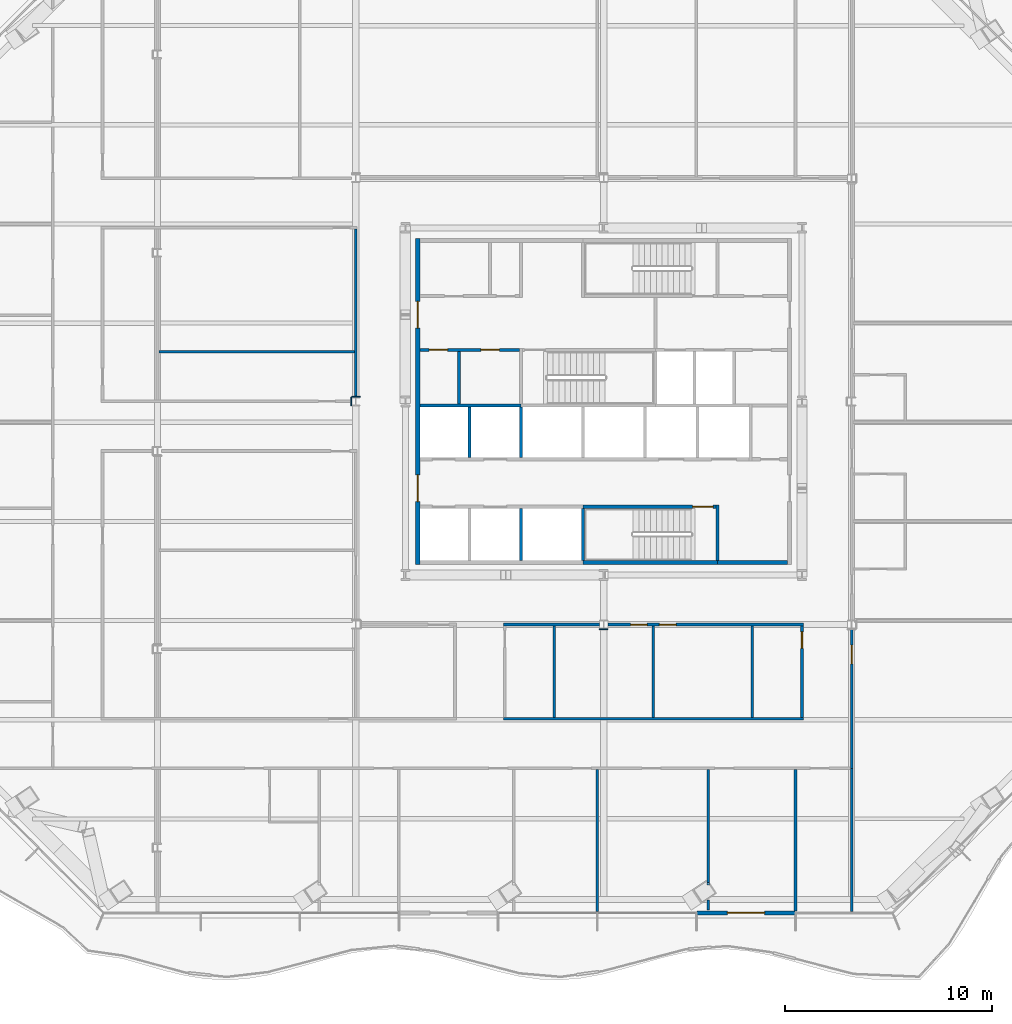
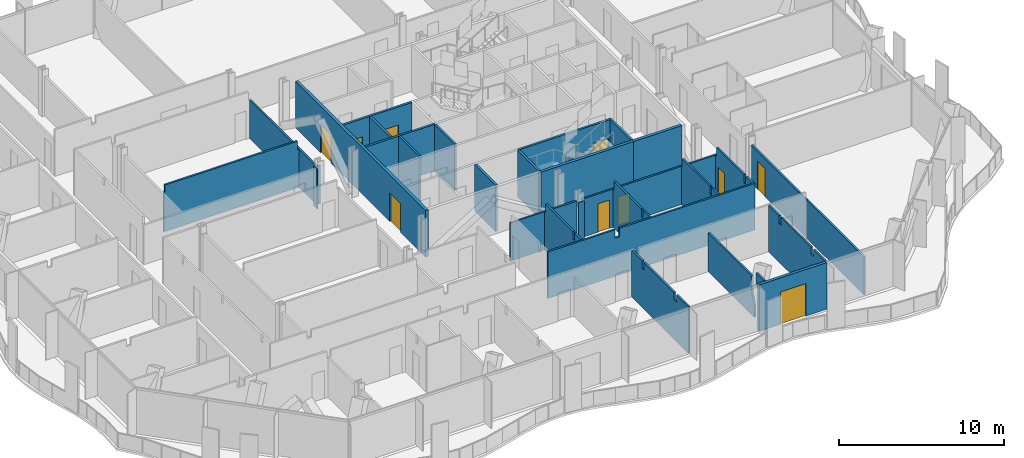
# One storey, part 8 of 19: 31 walls, 10 doors, 10 openings.
"""IFC4 building model written with IfcOpenShell, lengths in metres."""

from ifc_helpers import new_model, si_unit, direction, frame, frame_2d, origin, place, context, subcontext, project, spatial, polyline, rectangle, outline, extrude, material, layer, layer_set, type_object, element, fill, save


model = new_model("IFC4")

# Units and contexts
model_context = context("Model", 3, precision=1e-05, world=origin(), true_north=direction((0.0, 1.0)))
body_context = subcontext(model_context, "Body", "Model", "MODEL_VIEW")
ifc_project = project(units=[si_unit("LENGTHUNIT", "METRE"), si_unit("AREAUNIT", "SQUARE_METRE"), si_unit("VOLUMEUNIT", "CUBIC_METRE"), si_unit("PLANEANGLEUNIT", "RADIAN"), si_unit("MASSUNIT", "GRAM", prefix="KILO")], contexts=[model_context])

# Site, building, storey
site_placement = place(None, origin())
site = spatial("IfcSite", under=ifc_project, at=site_placement, CompositionType="ELEMENT")
building_placement = place(site_placement, origin())
building = spatial("IfcBuilding", under=site, at=building_placement, Name="Cairn Pilgrim Tower", CompositionType="ELEMENT")
storey_placement = place(building_placement, frame((0.0, 0.0, 97.800048828125)))
storey = spatial("IfcBuildingStorey", under=building, at=storey_placement, Name="L23", CompositionType="ELEMENT", Elevation=97.800048828125)

# Wall, opening, door
ifc_material_1 = material(Name="Bronze anodised aluminium insulated sandwich panel with mineral wool fill", Category="aluminium")
ifc_layer_1 = layer(ifc_material_1, 0.199951171875)
ifc_layer_set_1 = layer_set([ifc_layer_1], Name="BRONZE INFILL FRAME WALL 200")
wall_type_1 = type_object("IfcWallType", Name="BRONZE INFILL FRAME WALL 200", PredefinedType="NOTDEFINED", material=ifc_layer_set_1)
wall_1_placement = place(storey_placement, frame((11.717041015625, -22.358642578125, 0.0), z_axis=(0.0, 0.0, 1.0), x_axis=(1.0, 0.0, 0.0)))
wall_1 = element("IfcWall", 1, at=wall_1_placement, inside=storey, type_object=wall_type_1, Name="Bronze infill frame wall IW-S7", PredefinedType="NOTDEFINED", context=body_context, shape_type="SweptSolid", body=[
    extrude(rectangle(XDim=4.739990234375, YDim=0.199951171875, at=frame_2d((2.3701171875, 0.0))), origin(), (0.0, 0.0, 1.0), 3.449951171875),
])
opening_1_placement = place(wall_1_placement, frame((1.469970703125, 0.0, 0.0)))
opening_1 = element("IfcOpeningElement", 2, at=opening_1_placement, cuts=wall_1, Name="Opening 2307B", PredefinedType="OPENING", context=body_context, shape_type="SweptSolid", body=[
    extrude(rectangle(XDim=1.800048828125, YDim=2.39990234375, at=frame_2d((0.89990234375, 1.199951171875))), frame((0.0, 0.10986328125, 0.0), z_axis=(0.0, -1.0, 0.0), x_axis=(1.0, 0.0, 0.0)), (0.0, 0.0, 1.0), 0.219970703125),
])
ifc_material_2 = material(Name="Bronze anodised aluminium frame with tinted low-E glass", Category="aluminium")
door_type_1 = type_object("IfcDoorType", Name="BALCONY SLIDING DOOR 1800x2400", OperationType="DOUBLE_DOOR_SLIDING", PredefinedType="DOOR", material=ifc_material_2)
door_1_placement = place(opening_1_placement, origin())
door_1 = element("IfcDoor", 3, at=door_1_placement, inside=storey, type_object=door_type_1, Name="Balcony sliding door 2307B", OperationType="SINGLE_SWING_LEFT", OverallHeight=2.39990234375, OverallWidth=1.800048828125, PredefinedType="DOOR", context=body_context, shape_type="SweptSolid", body=[
    extrude(rectangle(XDim=1.800048828125, YDim=2.39990234375, at=frame_2d((0.89990234375, 1.199951171875))), frame((0.0, 0.02490234375, 0.0), z_axis=(0.0, -1.0, 0.0), x_axis=(1.0, 0.0, 0.0)), (0.0, 0.0, 1.0), 0.050048828125),
])
fill(opening_1, door_1)

# Wall
ifc_material_3 = material(Name="Concrete C32/40", Category="concrete")
ifc_layer_2 = layer(ifc_material_3, 0.199951171875)
ifc_layer_set_2 = layer_set([ifc_layer_2], Name="CORE OUTER WALL 200 EI 120")
wall_type_2 = type_object("IfcWallType", Name="CORE OUTER WALL 200 EI 120", PredefinedType="SOLIDWALL", material=ifc_layer_set_2)
wall_2_placement = place(storey_placement, frame((12.699951171875, -5.39990234375, 0.0), z_axis=(0.0, 0.0, 1.0), x_axis=(1.0, 0.0, 0.0)))
element("IfcWall", 4, at=wall_2_placement, inside=storey, type_object=wall_type_2, Name="CW:L23:H01-3", PredefinedType="SOLIDWALL", context=body_context, shape_type="SweptSolid", body=[
    extrude(rectangle(XDim=3.400146484375, YDim=0.199951171875, at=frame_2d((1.7001953125, 0.0))), origin(), (0.0, 0.0, 1.0), 3.449951171875),
])

# Wall, openings, doors
wall_3_placement = place(storey_placement, frame((-1.800048828125, -5.5, 0.0), z_axis=(0.0, 0.0, 1.0), x_axis=(0.0, 1.0, 0.0)))
wall_3 = element("IfcWall", 5, at=wall_3_placement, inside=storey, type_object=wall_type_2, Name="CW:L23:V12", PredefinedType="SOLIDWALL", context=body_context, shape_type="SweptSolid", body=[
    extrude(rectangle(XDim=15.800048828125, YDim=0.199951171875, at=frame_2d((7.89990234375, 0.0))), origin(), (0.0, 0.0, 1.0), 3.449951171875),
])
opening_2_placement = place(wall_3_placement, frame((3.050048828125, 0.0, 0.0)))
opening_2 = element("IfcOpeningElement", 6, at=opening_2_placement, cuts=wall_3, Name="Opening CD-W1", PredefinedType="OPENING", context=body_context, shape_type="SweptSolid", body=[
    extrude(rectangle(XDim=1.300048828125, YDim=2.10009765625, at=frame_2d((0.64990234375, 1.050048828125))), frame((0.0, 0.10986328125, 0.0), z_axis=(0.0, -1.0, 0.0), x_axis=(1.0, 0.0, 0.0)), (0.0, 0.0, 1.0), 0.219970703125),
])
opening_3_placement = place(wall_3_placement, frame((11.449951171875, 0.0, 0.0)))
opening_3 = element("IfcOpeningElement", 7, at=opening_3_placement, cuts=wall_3, Name="Opening CD-W2", PredefinedType="OPENING", context=body_context, shape_type="SweptSolid", body=[
    extrude(rectangle(XDim=1.300048828125, YDim=2.10009765625, at=frame_2d((0.64990234375, 1.050048828125))), frame((0.0, 0.10986328125, 0.0), z_axis=(0.0, -1.0, 0.0), x_axis=(1.0, 0.0, 0.0)), (0.0, 0.0, 1.0), 0.219970703125),
])
ifc_material_4 = material(Name="Painted steel", Category="steel")
door_type_2 = type_object("IfcDoorType", Name="CORE LOBBY DOOR 1300x2100", OperationType="DOUBLE_DOOR_SINGLE_SWING", PredefinedType="DOOR", material=ifc_material_4)
door_2_placement = place(opening_2_placement, origin())
door_2 = element("IfcDoor", 8, at=door_2_placement, inside=storey, type_object=door_type_2, Name="CD-W1", OperationType="DOUBLE_DOOR_SINGLE_SWING", OverallHeight=2.10009765625, OverallWidth=1.300048828125, PredefinedType="DOOR", context=body_context, shape_type="SweptSolid", body=[
    extrude(rectangle(XDim=1.300048828125, YDim=2.10009765625, at=frame_2d((0.64990234375, 1.050048828125))), frame((0.0, 0.02490234375, 0.0), z_axis=(0.0, -1.0, 0.0), x_axis=(1.0, 0.0, 0.0)), (0.0, 0.0, 1.0), 0.050048828125),
])
fill(opening_2, door_2)
door_3_placement = place(opening_3_placement, origin())
door_3 = element("IfcDoor", 9, at=door_3_placement, inside=storey, type_object=door_type_2, Name="CD-W2", OperationType="DOUBLE_DOOR_SINGLE_SWING", OverallHeight=2.10009765625, OverallWidth=1.300048828125, PredefinedType="DOOR", context=body_context, shape_type="SweptSolid", body=[
    extrude(rectangle(XDim=1.300048828125, YDim=2.10009765625, at=frame_2d((0.64990234375, 1.050048828125))), frame((0.0, 0.02490234375, 0.0), z_axis=(0.0, -1.0, 0.0), x_axis=(1.0, 0.0, 0.0)), (0.0, 0.0, 1.0), 0.050048828125),
])
fill(opening_3, door_3)

ifc_layer_3 = layer(ifc_material_3, 0.14990234375)
ifc_layer_set_3 = layer_set([ifc_layer_3], Name="CORE PARTITION 150 EI 60")
wall_type_3 = type_object("IfcWallType", Name="CORE PARTITION 150 EI 60", PredefinedType="PARTITIONING", material=ifc_layer_set_3)
wall_4_placement = place(storey_placement, frame((-1.699951171875, 4.89990234375, 0.0), z_axis=(0.0, 0.0, 1.0), x_axis=(1.0, 0.0, 0.0)))
wall_4 = element("IfcWall", 10, at=wall_4_placement, inside=storey, type_object=wall_type_3, Name="CW:L23:H07", PredefinedType="PARTITIONING", context=body_context, shape_type="SweptSolid", body=[
    extrude(rectangle(XDim=4.824951171875, YDim=0.14990234375, at=frame_2d((2.41259765625, 0.0))), origin(), (0.0, 0.0, 1.0), 3.449951171875),
])
opening_4_placement = place(wall_4_placement, frame((0.449951171875, 0.0, 0.0)))
opening_4 = element("IfcOpeningElement", 11, at=opening_4_placement, cuts=wall_4, Name="Opening RD-R3W1", PredefinedType="OPENING", context=body_context, shape_type="SweptSolid", body=[
    extrude(rectangle(XDim=0.89990234375, YDim=2.10009765625, at=frame_2d((0.449951171875, 1.050048828125))), frame((0.0, 0.0849609375, 0.0), z_axis=(0.0, -1.0, 0.0), x_axis=(1.0, 0.0, 0.0)), (0.0, 0.0, 1.0), 0.169921875),
])
opening_5_placement = place(wall_4_placement, frame((2.949951171875, 0.0, 0.0)))
opening_5 = element("IfcOpeningElement", 12, at=opening_5_placement, cuts=wall_4, Name="Opening RD-R3W2", PredefinedType="OPENING", context=body_context, shape_type="SweptSolid", body=[
    extrude(rectangle(XDim=0.89990234375, YDim=2.10009765625, at=frame_2d((0.449951171875, 1.050048828125))), frame((0.0, 0.0849609375, 0.0), z_axis=(0.0, -1.0, 0.0), x_axis=(1.0, 0.0, 0.0)), (0.0, 0.0, 1.0), 0.169921875),
])
door_type_3 = type_object("IfcDoorType", Name="SERVICE ROOM DOOR 900x2100", OperationType="SINGLE_SWING_LEFT", PredefinedType="DOOR", material=ifc_material_4)
door_4_placement = place(opening_4_placement, origin())
door_4 = element("IfcDoor", 13, at=door_4_placement, inside=storey, type_object=door_type_3, Name="RD-R3W1", OperationType="SINGLE_SWING_LEFT", OverallHeight=2.10009765625, OverallWidth=0.89990234375, PredefinedType="DOOR", context=body_context, shape_type="SweptSolid", body=[
    extrude(rectangle(XDim=0.89990234375, YDim=2.10009765625, at=frame_2d((0.449951171875, 1.050048828125))), frame((0.0, 0.02490234375, 0.0), z_axis=(0.0, -1.0, 0.0), x_axis=(1.0, 0.0, 0.0)), (0.0, 0.0, 1.0), 0.050048828125),
])
fill(opening_4, door_4)
door_5_placement = place(opening_5_placement, origin())
door_5 = element("IfcDoor", 14, at=door_5_placement, inside=storey, type_object=door_type_3, Name="RD-R3W2", OperationType="SINGLE_SWING_RIGHT", OverallHeight=2.10009765625, OverallWidth=0.89990234375, PredefinedType="DOOR", context=body_context, shape_type="SweptSolid", body=[
    extrude(rectangle(XDim=0.89990234375, YDim=2.10009765625, at=frame_2d((0.449951171875, 1.050048828125))), frame((0.0, 0.02490234375, 0.0), z_axis=(0.0, -1.0, 0.0), x_axis=(1.0, 0.0, 0.0)), (0.0, 0.0, 1.0), 0.050048828125),
])
fill(opening_5, door_5)

# Walls
wall_5_placement = place(storey_placement, frame((0.199951171875, 2.27490234375, 0.0), z_axis=(0.0, 0.0, 1.0), x_axis=(0.0, 1.0, 0.0)))
element("IfcWall", 15, at=wall_5_placement, inside=storey, type_object=wall_type_3, Name="CW:L23:V13", PredefinedType="PARTITIONING", context=body_context, shape_type="SweptSolid", body=[
    extrude(rectangle(XDim=2.550048828125, YDim=0.14990234375, at=frame_2d((1.27490234375, 0.0))), origin(), (0.0, 0.0, 1.0), 3.449951171875),
])
ifc_layer_4 = layer(ifc_material_3, 0.14990234375)
ifc_layer_set_4 = layer_set([ifc_layer_4], Name="CORE SHAFT WALL 150 EI 120")
wall_type_4 = type_object("IfcWallType", Name="CORE SHAFT WALL 150 EI 120", PredefinedType="SOLIDWALL", material=ifc_layer_set_4)
wall_6_placement = place(storey_placement, frame((-1.699951171875, 2.199951171875, 0.0), z_axis=(0.0, 0.0, 1.0), x_axis=(1.0, 0.0, 0.0)))
element("IfcWall", 16, at=wall_6_placement, inside=storey, type_object=wall_type_4, Name="CW:L23:H05-1", PredefinedType="SOLIDWALL", context=body_context, shape_type="SweptSolid", body=[
    extrude(rectangle(XDim=4.89990234375, YDim=0.14990234375, at=frame_2d((2.449951171875, 0.0))), origin(), (0.0, 0.0, 1.0), 3.449951171875),
])
wall_7_placement = place(storey_placement, frame((0.699951171875, -0.324951171875, 0.0), z_axis=(0.0, 0.0, 1.0), x_axis=(0.0, 1.0, 0.0)))
element("IfcWall", 17, at=wall_7_placement, inside=storey, type_object=wall_type_4, Name="CW:L23:V15", PredefinedType="SOLIDWALL", context=body_context, shape_type="SweptSolid", body=[
    extrude(rectangle(XDim=2.449951171875, YDim=0.14990234375, at=frame_2d((1.22509765625, 0.0))), origin(), (0.0, 0.0, 1.0), 3.449951171875),
])
wall_8_placement = place(storey_placement, frame((3.199951171875, -5.300048828125, 0.0), z_axis=(0.0, 0.0, 1.0), x_axis=(0.0, 1.0, 0.0)))
element("IfcWall", 18, at=wall_8_placement, inside=storey, type_object=wall_type_4, Name="CW:L23:V17", PredefinedType="SOLIDWALL", context=body_context, shape_type="SweptSolid", body=[
    extrude(rectangle(XDim=2.525146484375, YDim=0.14990234375, at=frame_2d((1.2626953125, 0.0))), origin(), (0.0, 0.0, 1.0), 3.449951171875),
])
wall_9_placement = place(storey_placement, frame((3.199951171875, -0.324951171875, 0.0), z_axis=(0.0, 0.0, 1.0), x_axis=(0.0, 1.0, 0.0)))
element("IfcWall", 19, at=wall_9_placement, inside=storey, type_object=wall_type_4, Name="CW:L23:V18", PredefinedType="SOLIDWALL", context=body_context, shape_type="SweptSolid", body=[
    extrude(rectangle(XDim=2.449951171875, YDim=0.14990234375, at=frame_2d((1.22509765625, 0.0))), origin(), (0.0, 0.0, 1.0), 3.449951171875),
])
ifc_material_5 = material(Name="Gypsum partition")
ifc_layer_5 = layer(ifc_material_5, 0.125)
ifc_layer_set_5 = layer_set([ifc_layer_5], Name="PARTITION 125 DRYWALL EI 60")
wall_type_5 = type_object("IfcWallType", Name="PARTITION 125 DRYWALL EI 60", PredefinedType="PARTITIONING", material=ifc_layer_set_5)
wall_10_placement = place(storey_placement, frame((6.886962890625, -22.298583984375, 0.0), z_axis=(0.0, 0.0, 1.0), x_axis=(0.0, 1.0, 0.0)))
element("IfcWall", 20, at=wall_10_placement, inside=storey, type_object=wall_type_5, Name="PARTITION W005", PredefinedType="PARTITIONING", context=body_context, shape_type="SweptSolid", body=[
    extrude(outline(polyline([(0.0, 0.0), (6.877197265625, 0.0), (6.877197265625, 3.449951171875), (5.603515625, 3.449951171875), (5.6015625, 2.8798828125), (5.3935546875, 2.8798828125), (5.3916015625, 3.449951171875), (1.74853515625, 3.449951171875), (1.74658203125, 2.929931640625), (1.448486328125, 2.929931640625), (1.446533203125, 3.449951171875), (0.0, 3.449951171875), (0.0, 0.0)])), frame((0.0, 0.0625, 0.0), z_axis=(0.0, -1.0, 0.0), x_axis=(1.0, 0.0, 0.0)), (0.0, 0.0, 1.0), 0.125),
])
wall_11_placement = place(storey_placement, frame((16.487060546875, -22.258544921875, 0.0), z_axis=(0.0, 0.0, 1.0), x_axis=(0.0, 1.0, 0.0)))
element("IfcWall", 21, at=wall_11_placement, inside=storey, type_object=wall_type_5, Name="PARTITION W006", PredefinedType="PARTITIONING", context=body_context, shape_type="SweptSolid", body=[
    extrude(outline(polyline([(0.0, 0.0), (6.837158203125, 0.0), (6.837158203125, 3.449951171875), (5.563720703125, 3.449951171875), (5.5615234375, 2.8798828125), (5.353515625, 2.8798828125), (5.3515625, 3.449951171875), (1.70849609375, 3.449951171875), (1.70654296875, 2.929931640625), (1.40869140625, 2.929931640625), (1.406494140625, 3.449951171875), (0.0, 3.449951171875), (0.0, 0.0)])), frame((0.0, 0.0625, 0.0), z_axis=(0.0, -1.0, 0.0), x_axis=(1.0, 0.0, 0.0)), (0.0, 0.0, 1.0), 0.125),
])
wall_12_placement = place(storey_placement, frame((19.199951171875, -22.298583984375, 0.0), z_axis=(0.0, 0.0, 1.0), x_axis=(0.0, 1.0, 0.0)))
element("IfcWall", 22, at=wall_12_placement, inside=storey, type_object=wall_type_5, Name="PARTITION W007", PredefinedType="PARTITIONING", context=body_context, shape_type="SweptSolid", body=[
    extrude(rectangle(XDim=6.939697265625, YDim=0.125, at=frame_2d((3.4697265625, 0.0))), origin(), (0.0, 0.0, 1.0), 2.829833984375),
])
wall_13_placement = place(storey_placement, frame((12.257080078125, -22.228515625, 0.0), z_axis=(0.0, 0.0, 1.0), x_axis=(0.0, 1.0, 0.0)))
element("IfcWall", 23, at=wall_13_placement, inside=storey, type_object=wall_type_5, Name="PARTITION W008", PredefinedType="PARTITIONING", context=body_context, shape_type="SweptSolid", body=[
    extrude(outline(polyline([(0.0, 0.0), (0.501953125, 0.0), (0.501953125, 0.862548828125), (0.501953125, 1.724853515625), (0.9765625, 2.58740234375), (0.9765625, 3.449951171875), (0.0, 3.449951171875), (0.0, 2.58740234375), (0.0, 1.724853515625), (0.0, 0.862548828125), (0.0, 0.0)])), frame((0.0, 0.0625, 0.0), z_axis=(0.0, -1.0, 0.0), x_axis=(1.0, 0.0, 0.0)), (0.0, 0.0, 1.0), 0.125),
])
wall_14_placement = place(storey_placement, frame((12.257080078125, -21.01953125, 0.0), z_axis=(0.0, 0.0, 1.0), x_axis=(0.0, 1.0, 0.0)))
element("IfcWall", 24, at=wall_14_placement, inside=storey, type_object=wall_type_5, Name="PARTITION W011", PredefinedType="PARTITIONING", context=body_context, shape_type="SweptSolid", body=[
    extrude(outline(polyline([(0.0, 0.0), (5.597900390625, 0.0), (5.597900390625, 0.862548828125), (5.597900390625, 1.724853515625), (5.597900390625, 2.58740234375), (5.597900390625, 2.8798828125), (0.33740234375, 2.8798828125), (0.33740234375, 2.58740234375), (0.33740234375, 1.724853515625), (0.0, 0.862548828125), (0.0, 0.0)])), frame((0.0, 0.0625, 0.0), z_axis=(0.0, -1.0, 0.0), x_axis=(1.0, 0.0, 0.0)), (0.0, 0.0, 1.0), 0.125),
])

# Wall, opening, door
wall_15_placement = place(storey_placement, frame((19.199951171875, -15.35888671875, 0.0), z_axis=(0.0, 0.0, 1.0), x_axis=(0.0, 1.0, 0.0)))
wall_15 = element("IfcWall", 25, at=wall_15_placement, inside=storey, type_object=wall_type_5, Name="PARTITION W017", PredefinedType="PARTITIONING", context=body_context, shape_type="SweptSolid", body=[
    extrude(rectangle(XDim=6.746337890625, YDim=0.125, at=frame_2d((3.373046875, 0.0))), origin(), (0.0, 0.0, 1.0), 2.829833984375),
])
opening_6_placement = place(wall_15_placement, frame((5.05908203125, 0.0, 0.0)))
opening_6 = element("IfcOpeningElement", 26, at=opening_6_placement, cuts=wall_15, Name="Opening 2323", PredefinedType="OPENING", context=body_context, shape_type="SweptSolid", body=[
    extrude(rectangle(XDim=0.89990234375, YDim=2.10009765625, at=frame_2d((0.449951171875, 1.050048828125))), frame((0.0, 0.072509765625, 0.0), z_axis=(0.0, -1.0, 0.0), x_axis=(1.0, 0.0, 0.0)), (0.0, 0.0, 1.0), 0.14501953125),
])
ifc_material_6 = material(Name="Steel-faced fire door leaf", Category="steel")
door_type_4 = type_object("IfcDoorType", Name="FIRE DOOR 900x2100 FD30S", OperationType="NOTDEFINED", PredefinedType="DOOR", material=ifc_material_6)
door_6_placement = place(opening_6_placement, frame((0.89990234375, 0.0, 0.0), z_axis=(0.0, 0.0, 1.0), x_axis=(-1.0, 0.0, 0.0)))
door_6 = element("IfcDoor", 27, at=door_6_placement, inside=storey, type_object=door_type_4, Name="DOOR 2323", OperationType="SINGLE_SWING_LEFT", OverallHeight=2.10009765625, OverallWidth=0.89990234375, PredefinedType="DOOR", context=body_context, shape_type="SweptSolid", body=[
    extrude(rectangle(XDim=0.89990234375, YDim=2.10009765625, at=frame_2d((0.449951171875, 1.050048828125))), frame((0.0, 0.02490234375, 0.0), z_axis=(0.0, -1.0, 0.0), x_axis=(1.0, 0.0, 0.0)), (0.0, 0.0, 1.0), 0.050048828125),
])
fill(opening_6, door_6)

# Walls
wall_16_placement = place(storey_placement, frame((2.33740234375, -12.958984375, 0.0), z_axis=(0.0, 0.0, 1.0), x_axis=(1.0, 0.0, 0.0)))
element("IfcWall", 28, at=wall_16_placement, inside=storey, type_object=wall_type_5, Name="PARTITION W020", PredefinedType="PARTITIONING", context=body_context, shape_type="SweptSolid", body=[
    extrude(outline(polyline([(0.0, 0.0), (14.525146484375, 0.0), (14.52490234375, 3.449951171875), (5.012451171875, 3.449951171875), (5.010498046875, 2.829833984375), (4.71240234375, 2.829833984375), (4.71044921875, 3.449951171875), (0.0, 3.449951171875), (0.0, 0.0)])), frame((0.0, 0.0625, 0.0), z_axis=(0.0, -1.0, 0.0), x_axis=(1.0, 0.0, 0.0)), (0.0, 0.0, 1.0), 0.125),
])
for number, where, z_axis, x_axis, name in (
    (29, (4.800048828125, -12.896484375, 0.0), (0.0, 0.0, 1.0), (0.0, 1.0, 0.0), "PARTITION W026"),
    (30, (9.60009765625, -12.896484375, 0.0), (0.0, 0.0, 1.0), (0.0, 1.0, 0.0), "PARTITION W027"),
    (31, (14.39990234375, -12.896484375, 0.0), (0.0, 0.0, 1.0), (0.0, 1.0, 0.0), "PARTITION W028"),
):
    element("IfcWall", number, at=place(storey_placement, frame(where, z_axis=z_axis, x_axis=x_axis)), inside=storey, type_object=wall_type_5, Name=name, PredefinedType="PARTITIONING", context=body_context, shape_type="SweptSolid", body=[
        extrude(outline(polyline([(0.0, 0.0), (4.43408203125, 0.0), (4.43408203125, 2.829833984375), (4.346435546875, 2.829833984375), (4.344482421875, 3.449951171875), (1.00146484375, 3.449951171875), (0.99951171875, 2.8798828125), (0.79150390625, 2.8798828125), (0.78955078125, 3.449951171875), (0.0, 3.449951171875), (0.0, 0.0)])), frame((0.0, 0.0625, 0.0), z_axis=(0.0, -1.0, 0.0), x_axis=(1.0, 0.0, 0.0)), (0.0, 0.0, 1.0), 0.125),
    ])

# Wall, opening, door
wall_17_placement = place(storey_placement, frame((16.800048828125, -12.896484375, 0.0), z_axis=(0.0, 0.0, 1.0), x_axis=(0.0, 1.0, 0.0)))
wall_17 = element("IfcWall", 32, at=wall_17_placement, inside=storey, type_object=wall_type_5, Name="PARTITION W029", PredefinedType="PARTITIONING", context=body_context, shape_type="SweptSolid", body=[
    extrude(outline(polyline([(0.0, 0.0), (4.43408203125, 0.0), (4.43408203125, 2.829833984375), (4.346435546875, 2.829833984375), (4.344482421875, 3.449951171875), (1.00146484375, 3.449951171875), (0.99951171875, 2.8798828125), (0.79150390625, 2.8798828125), (0.78955078125, 3.449951171875), (0.0, 3.449951171875), (0.0, 0.0)])), frame((0.0, 0.0625, 0.0), z_axis=(0.0, -1.0, 0.0), x_axis=(1.0, 0.0, 0.0)), (0.0, 0.0, 1.0), 0.125),
])
opening_7_placement = place(wall_17_placement, frame((3.33740234375, 0.0, 0.0)))
opening_7 = element("IfcOpeningElement", 33, at=opening_7_placement, cuts=wall_17, Name="Opening 2339", PredefinedType="OPENING", context=body_context, shape_type="SweptSolid", body=[
    extrude(rectangle(XDim=0.800048828125, YDim=2.10009765625, at=frame_2d((0.39990234375, 1.050048828125))), frame((0.0, 0.072509765625, 0.0), z_axis=(0.0, -1.0, 0.0), x_axis=(1.0, 0.0, 0.0)), (0.0, 0.0, 1.0), 0.14501953125),
])
door_type_5 = type_object("IfcDoorType", Name="FIRE DOOR 800x2100 FD30S", OperationType="NOTDEFINED", PredefinedType="DOOR", material=ifc_material_6)
door_7_placement = place(opening_7_placement, origin())
door_7 = element("IfcDoor", 34, at=door_7_placement, inside=storey, type_object=door_type_5, Name="DOOR 2339", OperationType="SINGLE_SWING_RIGHT", OverallHeight=2.10009765625, OverallWidth=0.800048828125, PredefinedType="DOOR", context=body_context, shape_type="SweptSolid", body=[
    extrude(rectangle(XDim=0.800048828125, YDim=2.10009765625, at=frame_2d((0.39990234375, 1.050048828125))), frame((0.0, 0.02490234375, 0.0), z_axis=(0.0, -1.0, 0.0), x_axis=(1.0, 0.0, 0.0)), (0.0, 0.0, 1.0), 0.050048828125),
])
fill(opening_7, door_7)

# Wall
wall_18_placement = place(storey_placement, frame((2.33740234375, -8.39990234375, 0.0), z_axis=(0.0, 0.0, 1.0), x_axis=(1.0, 0.0, 0.0)))
element("IfcWall", 35, at=wall_18_placement, inside=storey, type_object=wall_type_5, Name="PARTITION W035", PredefinedType="PARTITIONING", context=body_context, shape_type="SweptSolid", body=[
    extrude(rectangle(XDim=4.658203125, YDim=0.125, at=frame_2d((2.3291015625, 0.0))), origin(), (0.0, 0.0, 1.0), 2.829833984375),
])

# Wall, openings, doors
wall_19_placement = place(storey_placement, frame((7.404541015625, -8.39990234375, 0.0), z_axis=(0.0, 0.0, 1.0), x_axis=(1.0, 0.0, 0.0)))
wall_19 = element("IfcWall", 36, at=wall_19_placement, inside=storey, type_object=wall_type_5, Name="PARTITION W036", PredefinedType="PARTITIONING", context=body_context, shape_type="SweptSolid", body=[
    extrude(rectangle(XDim=9.4580078125, YDim=0.125, at=frame_2d((4.72900390625, 0.0))), origin(), (0.0, 0.0, 1.0), 2.829833984375),
])
opening_8_placement = place(wall_19_placement, frame((1.095458984375, 0.0, 0.0)))
opening_8 = element("IfcOpeningElement", 37, at=opening_8_placement, cuts=wall_19, Name="Opening 2337", PredefinedType="OPENING", context=body_context, shape_type="SweptSolid", body=[
    extrude(rectangle(XDim=0.800048828125, YDim=2.10009765625, at=frame_2d((0.39990234375, 1.050048828125))), frame((0.0, 0.072509765625, 0.0), z_axis=(0.0, -1.0, 0.0), x_axis=(1.0, 0.0, 0.0)), (0.0, 0.0, 1.0), 0.14501953125),
])
opening_9_placement = place(wall_19_placement, frame((2.49560546875, 0.0, 0.0)))
opening_9 = element("IfcOpeningElement", 38, at=opening_9_placement, cuts=wall_19, Name="Opening 2338", PredefinedType="OPENING", context=body_context, shape_type="SweptSolid", body=[
    extrude(rectangle(XDim=0.800048828125, YDim=2.10009765625, at=frame_2d((0.39990234375, 1.050048828125))), frame((0.0, 0.072509765625, 0.0), z_axis=(0.0, -1.0, 0.0), x_axis=(1.0, 0.0, 0.0)), (0.0, 0.0, 1.0), 0.14501953125),
])
door_8_placement = place(opening_8_placement, frame((0.800048828125, 0.0, 0.0), z_axis=(0.0, 0.0, 1.0), x_axis=(-1.0, 0.0, 0.0)))
door_8 = element("IfcDoor", 39, at=door_8_placement, inside=storey, type_object=door_type_5, Name="DOOR 2337", OperationType="SINGLE_SWING_RIGHT", OverallHeight=2.10009765625, OverallWidth=0.800048828125, PredefinedType="DOOR", context=body_context, shape_type="SweptSolid", body=[
    extrude(rectangle(XDim=0.800048828125, YDim=2.10009765625, at=frame_2d((0.39990234375, 1.050048828125))), frame((0.0, 0.02490234375, 0.0), z_axis=(0.0, -1.0, 0.0), x_axis=(1.0, 0.0, 0.0)), (0.0, 0.0, 1.0), 0.050048828125),
])
fill(opening_8, door_8)
door_9_placement = place(opening_9_placement, frame((0.800048828125, 0.0, 0.0), z_axis=(0.0, 0.0, 1.0), x_axis=(-1.0, 0.0, 0.0)))
door_9 = element("IfcDoor", 40, at=door_9_placement, inside=storey, type_object=door_type_5, Name="DOOR 2338", OperationType="SINGLE_SWING_LEFT", OverallHeight=2.10009765625, OverallWidth=0.800048828125, PredefinedType="DOOR", context=body_context, shape_type="SweptSolid", body=[
    extrude(rectangle(XDim=0.800048828125, YDim=2.10009765625, at=frame_2d((0.39990234375, 1.050048828125))), frame((0.0, 0.02490234375, 0.0), z_axis=(0.0, -1.0, 0.0), x_axis=(1.0, 0.0, 0.0)), (0.0, 0.0, 1.0), 0.050048828125),
])
fill(opening_9, door_9)

# Walls
wall_20_placement = place(storey_placement, frame((-4.800048828125, 2.612548828125, 0.0), z_axis=(0.0, 0.0, 1.0), x_axis=(0.0, 1.0, 0.0)))
element("IfcWall", 41, at=wall_20_placement, inside=storey, type_object=wall_type_5, Name="PARTITION W057", PredefinedType="PARTITIONING", context=body_context, shape_type="SweptSolid", body=[
    extrude(rectangle(XDim=8.125, YDim=0.125, at=frame_2d((4.0625, 0.0))), origin(), (0.0, 0.0, 1.0), 2.829833984375),
])
wall_21_placement = place(storey_placement, frame((-14.33740234375, 4.800048828125, 0.0), z_axis=(0.0, 0.0, 1.0), x_axis=(1.0, 0.0, 0.0)))
element("IfcWall", 42, at=wall_21_placement, inside=storey, type_object=wall_type_5, Name="PARTITION W060", PredefinedType="PARTITIONING", context=body_context, shape_type="SweptSolid", body=[
    extrude(outline(polyline([(0.0, 0.0), (9.474853515625, 0.0), (9.47509765625, 2.829833984375), (9.387451171875, 2.829833984375), (9.385498046875, 3.449951171875), (0.08740234375, 3.449951171875), (0.08544921875, 2.929931640625), (0.0, 2.929931640625), (0.0, 0.0)])), frame((0.0, 0.0625, 0.0), z_axis=(0.0, -1.0, 0.0), x_axis=(1.0, 0.0, 0.0)), (0.0, 0.0, 1.0), 0.125),
])
ifc_layer_6 = layer(ifc_material_5, 0.050048828125)
ifc_layer_set_6 = layer_set([ifc_layer_6], Name="PARTITION 50 DRYWALL EI 60")
wall_type_6 = type_object("IfcWallType", Name="PARTITION 50 DRYWALL EI 60", PredefinedType="PARTITIONING", material=ifc_layer_set_6)
for number, where, z_axis, x_axis, name in (
    (43, (6.99560546875, -8.637451171875, 0.0), (0.0, 0.0, 1.0), (1.0, 0.0, 0.0), "COLUMN CASING WC10"),
    (44, (-5.00439453125, 2.637451171875, 0.0), (0.0, 0.0, 1.0), (1.0, 0.0, 0.0), "COLUMN CASING WC13"),
):
    element("IfcWall", number, at=place(storey_placement, frame(where, z_axis=z_axis, x_axis=x_axis)), inside=storey, type_object=wall_type_6, Name=name, PredefinedType="PARTITIONING", context=body_context, shape_type="SweptSolid", body=[
        extrude(rectangle(XDim=0.408935546875, YDim=0.050048828125, at=frame_2d((0.20458984375, 0.0))), origin(), (0.0, 0.0, 1.0), 2.829833984375),
    ])
wall_22_placement = place(storey_placement, frame((-5.029541015625, 2.1875, 0.0), z_axis=(0.0, 0.0, 1.0), x_axis=(0.0, 1.0, 0.0)))
element("IfcWall", 45, at=wall_22_placement, inside=storey, type_object=wall_type_6, Name="COLUMN CASING WC15", PredefinedType="PARTITIONING", context=body_context, shape_type="SweptSolid", body=[
    extrude(rectangle(XDim=0.425048828125, YDim=0.050048828125, at=frame_2d((0.21240234375, 0.0))), origin(), (0.0, 0.0, 1.0), 2.929931640625),
])

# Wall, opening, door
ifc_material_7 = material(Name="Concrete C35/45", Category="concrete")
ifc_layer_7 = layer(ifc_material_7, 0.14990234375)
ifc_layer_set_7 = layer_set([ifc_layer_7], Name="STAIR SHAFT WALL 150 EI 120")
wall_type_7 = type_object("IfcWallType", Name="STAIR SHAFT WALL 150 EI 120", PredefinedType="SOLIDWALL", material=ifc_layer_set_7)
wall_23_placement = place(storey_placement, frame((6.199951171875, -2.699951171875, 0.0), z_axis=(0.0, 0.0, 1.0), x_axis=(1.0, 0.0, 0.0)))
wall_23 = element("IfcWall", 46, at=wall_23_placement, inside=storey, type_object=wall_type_7, Name="CW:L23:H02-2", PredefinedType="SOLIDWALL", context=body_context, shape_type="SweptSolid", body=[
    extrude(rectangle(XDim=6.425048828125, YDim=0.14990234375, at=frame_2d((3.21240234375, 0.0))), origin(), (0.0, 0.0, 1.0), 3.449951171875),
])
opening_10_placement = place(wall_23_placement, frame((5.300048828125, 0.0, 0.0)))
opening_10 = element("IfcOpeningElement", 47, at=opening_10_placement, cuts=wall_23, Name="Opening SD-A", PredefinedType="OPENING", context=body_context, shape_type="SweptSolid", body=[
    extrude(rectangle(XDim=1.0, YDim=2.10009765625, at=frame_2d((0.5, 1.050048828125))), frame((0.0, 0.0849609375, 0.0), z_axis=(0.0, -1.0, 0.0), x_axis=(1.0, 0.0, 0.0)), (0.0, 0.0, 1.0), 0.169921875),
])
door_type_6 = type_object("IfcDoorType", Name="STAIR DOOR FD60S 1000x2100", OperationType="SINGLE_SWING_LEFT", PredefinedType="DOOR", material=ifc_material_4)
door_10_placement = place(opening_10_placement, origin())
door_10 = element("IfcDoor", 48, at=door_10_placement, inside=storey, type_object=door_type_6, Name="SD-A", OperationType="SINGLE_SWING_LEFT", OverallHeight=2.10009765625, OverallWidth=1.0, PredefinedType="DOOR", context=body_context, shape_type="SweptSolid", body=[
    extrude(rectangle(XDim=1.0, YDim=2.10009765625, at=frame_2d((0.5, 1.050048828125))), frame((0.0, 0.02490234375, 0.0), z_axis=(0.0, -1.0, 0.0), x_axis=(1.0, 0.0, 0.0)), (0.0, 0.0, 1.0), 0.050048828125),
])
fill(opening_10, door_10)

# Walls
wall_24_placement = place(storey_placement, frame((6.199951171875, -5.300048828125, 0.0), z_axis=(0.0, 0.0, 1.0), x_axis=(0.0, 1.0, 0.0)))
element("IfcWall", 49, at=wall_24_placement, inside=storey, type_object=wall_type_7, Name="CW:L23:V21", PredefinedType="SOLIDWALL", context=body_context, shape_type="SweptSolid", body=[
    extrude(rectangle(XDim=2.525146484375, YDim=0.14990234375, at=frame_2d((1.2626953125, 0.0))), origin(), (0.0, 0.0, 1.0), 3.449951171875),
])
wall_25_placement = place(storey_placement, frame((12.699951171875, -5.300048828125, 0.0), z_axis=(0.0, 0.0, 1.0), x_axis=(0.0, 1.0, 0.0)))
element("IfcWall", 50, at=wall_25_placement, inside=storey, type_object=wall_type_7, Name="CW:L23:V29", PredefinedType="SOLIDWALL", context=body_context, shape_type="SweptSolid", body=[
    extrude(rectangle(XDim=2.675048828125, YDim=0.14990234375, at=frame_2d((1.33740234375, 0.0))), origin(), (0.0, 0.0, 1.0), 3.449951171875),
])
ifc_layer_8 = layer(ifc_material_7, 0.199951171875)
ifc_layer_set_8 = layer_set([ifc_layer_8], Name="STAIR SHAFT WALL 200 EI 120")
wall_type_8 = type_object("IfcWallType", Name="STAIR SHAFT WALL 200 EI 120", PredefinedType="SOLIDWALL", material=ifc_layer_set_8)
wall_26_placement = place(storey_placement, frame((6.199951171875, -5.39990234375, 0.0), z_axis=(0.0, 0.0, 1.0), x_axis=(1.0, 0.0, 0.0)))
element("IfcWall", 51, at=wall_26_placement, inside=storey, type_object=wall_type_8, Name="CW:L23:H01-2", PredefinedType="SOLIDWALL", context=body_context, shape_type="SweptSolid", body=[
    extrude(rectangle(XDim=6.5, YDim=0.199951171875, at=frame_2d((3.25, 0.0))), origin(), (0.0, 0.0, 1.0), 3.449951171875),
])

save(model, "model.ifc")
